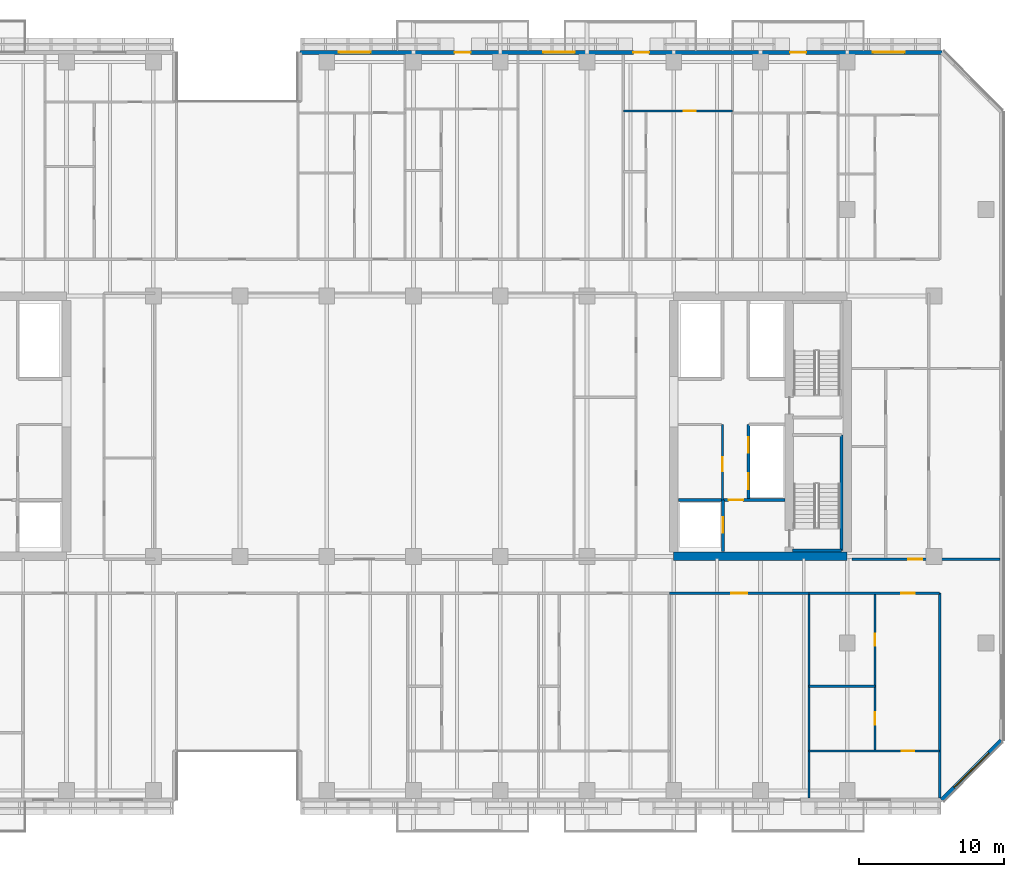
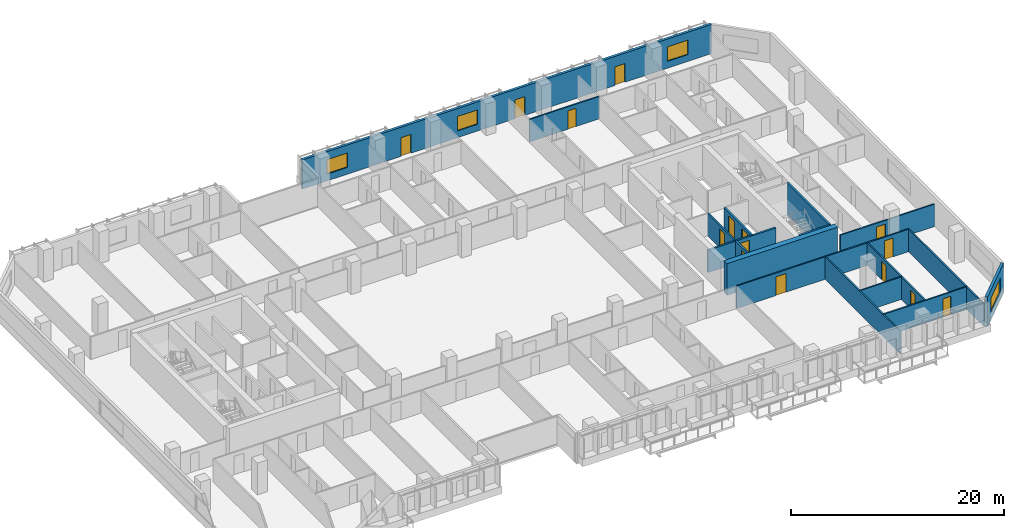
# One storey, part 14 of 25: 18 walls, 15 doors, 4 windows, 19 openings.
"""IFC4 building model written with IfcOpenShell, lengths in metres."""

from ifc_helpers import new_model, si_unit, direction, frame, frame_2d, origin, place, context, subcontext, project, spatial, rectangle, extrude, material, layer, layer_set, type_object, element, fill, save


model = new_model("IFC4")

# Units and contexts
model_context = context("Model", 3, precision=1e-05, world=origin(), true_north=direction((0.0, 1.0)))
body_context = subcontext(model_context, "Body", "Model", "MODEL_VIEW")
ifc_project = project(units=[si_unit("LENGTHUNIT", "METRE"), si_unit("AREAUNIT", "SQUARE_METRE"), si_unit("VOLUMEUNIT", "CUBIC_METRE"), si_unit("PLANEANGLEUNIT", "RADIAN"), si_unit("MASSUNIT", "GRAM", prefix="KILO")], contexts=[model_context])

# Site, building, storey
site_placement = place(None, origin())
site = spatial("IfcSite", under=ifc_project, at=site_placement, CompositionType="ELEMENT")
building_placement = place(site_placement, origin())
building = spatial("IfcBuilding", under=site, at=building_placement, Name="Tanjung Sevakor Pilgrim Tower", CompositionType="ELEMENT")
storey_placement = place(building_placement, frame((0.0, 0.0, 69.6298828125)))
storey = spatial("IfcBuildingStorey", under=building, at=storey_placement, Name="L19", CompositionType="ELEMENT", Elevation=69.6298828125)

# Wall
ifc_material_1 = material(Name="Concrete C60/75", Category="concrete")
ifc_layer_1 = layer(ifc_material_1, 0.60009765625)
ifc_layer_set_1 = layer_set([ifc_layer_1], Name="WALL-CW-600")
wall_type_1 = type_object("IfcWallType", Name="WALL-CW-600", PredefinedType="SHEAR", material=ifc_layer_set_1)
wall_1_placement = place(storey_placement, frame((78.0, 24.60009765625, 0.0), z_axis=(0.0, 0.0, 1.0), x_axis=(1.0, 0.0, 0.0)))
element("IfcWall", 1, at=wall_1_placement, inside=storey, type_object=wall_type_1, Name="L19 E Core South Shear Wall", PredefinedType="SHEAR", context=body_context, shape_type="SweptSolid", body=[
    extrude(rectangle(XDim=12.0, YDim=0.60009765625, at=frame_2d((6.0, 0.0))), origin(), (0.0, 0.0, 1.0), 3.630126953125),
])

# Wall, opening, door
ifc_material_2 = material(Name="Concrete C40/50", Category="concrete")
ifc_layer_2 = layer(ifc_material_2, 0.14990234375)
ifc_layer_set_2 = layer_set([ifc_layer_2], Name="WT-COMP-150")
wall_type_2 = type_object("IfcWallType", Name="WT-COMP-150", PredefinedType="SOLIDWALL", material=ifc_layer_set_2)
wall_2_placement = place(storey_placement, frame((81.3798828125, 28.5, 0.0), z_axis=(0.0, 0.0, 1.0), x_axis=(0.0, 1.0, 0.0)))
wall_2 = element("IfcWall", 2, at=wall_2_placement, inside=storey, type_object=wall_type_2, Name="L19 Partition IW-L19-016", PredefinedType="SOLIDWALL", context=body_context, shape_type="SweptSolid", body=[
    extrude(rectangle(XDim=5.219970703125, YDim=0.14990234375, at=frame_2d((2.60986328125, 0.0))), origin(), (0.0, 0.0, 1.0), 2.570068359375),
])
opening_1_placement = place(wall_2_placement, frame((2.0, 0.0, 0.0)))
opening_1 = element("IfcOpeningElement", 3, at=opening_1_placement, cuts=wall_2, Name="Opening ID-FD2", PredefinedType="OPENING", context=body_context, shape_type="SweptSolid", body=[
    extrude(rectangle(XDim=0.949951171875, YDim=2.14990234375, at=frame_2d((0.47509765625, 1.074951171875))), frame((0.0, 0.0849609375, 0.0), z_axis=(0.0, -1.0, 0.0), x_axis=(1.0, 0.0, 0.0)), (0.0, 0.0, 1.0), 0.169921875),
])
ifc_material_3 = material(Name="Fire-Rated Timber", Category="wood")
door_type_1 = type_object("IfcDoorType", Name="DT-FIRE-950", OperationType="NOTDEFINED", PredefinedType="DOOR", material=ifc_material_3)
door_1_placement = place(opening_1_placement, origin())
door_1 = element("IfcDoor", 4, at=door_1_placement, inside=storey, type_object=door_type_1, Name="L19 Accessible WC Door", OperationType="SINGLE_SWING_LEFT", OverallHeight=2.14990234375, OverallWidth=0.949951171875, PredefinedType="DOOR", context=body_context, shape_type="SweptSolid", body=[
    extrude(rectangle(XDim=0.949951171875, YDim=2.14990234375, at=frame_2d((0.47509765625, 1.074951171875))), frame((0.0, 0.02490234375, 0.0), z_axis=(0.0, -1.0, 0.0), x_axis=(1.0, 0.0, 0.0)), (0.0, 0.0, 1.0), 0.050048828125),
])
fill(opening_1, door_1)

wall_3_placement = place(storey_placement, frame((90.320068359375, 24.39990234375, 0.0), z_axis=(0.0, 0.0, 1.0), x_axis=(1.0, 0.0, 0.0)))
wall_3 = element("IfcWall", 5, at=wall_3_placement, inside=storey, type_object=wall_type_2, Name="L19 Partition IW-L19-041", PredefinedType="SOLIDWALL", context=body_context, shape_type="SweptSolid", body=[
    extrude(rectangle(XDim=10.239990234375, YDim=0.14990234375, at=frame_2d((5.1201171875, 0.0))), origin(), (0.0, 0.0, 1.0), 2.565185546875),
])
opening_2_placement = place(wall_3_placement, frame((3.91259765625, 0.0, 0.0)))
opening_2 = element("IfcOpeningElement", 6, at=opening_2_placement, cuts=wall_3, Name="Opening ID-FD2", PredefinedType="OPENING", context=body_context, shape_type="SweptSolid", body=[
    extrude(rectangle(XDim=0.949951171875, YDim=2.14990234375, at=frame_2d((0.47509765625, 1.074951171875))), frame((0.0, 0.0849609375, 0.0), z_axis=(0.0, -1.0, 0.0), x_axis=(1.0, 0.0, 0.0)), (0.0, 0.0, 1.0), 0.169921875),
])
door_2_placement = place(opening_2_placement, origin())
door_2 = element("IfcDoor", 7, at=door_2_placement, inside=storey, type_object=door_type_1, Name="Suite Entrance", OperationType="SINGLE_SWING_LEFT", OverallHeight=2.14990234375, OverallWidth=0.949951171875, PredefinedType="DOOR", context=body_context, shape_type="SweptSolid", body=[
    extrude(rectangle(XDim=0.949951171875, YDim=2.14990234375, at=frame_2d((0.47509765625, 1.074951171875))), frame((0.0, 0.02490234375, 0.0), z_axis=(0.0, -1.0, 0.0), x_axis=(1.0, 0.0, 0.0)), (0.0, 0.0, 1.0), 0.050048828125),
])
fill(opening_2, door_2)

# Walls
for number, where, z_axis, x_axis, name in (
    (8, (96.39990234375, 7.8798828125, 0.0), (0.0, 0.0, 1.0), (0.0, 1.0, 0.0), "L19 Partition IW-L19-059"),
    (9, (87.35693359375, 7.8798828125, 0.0), (0.0, 0.0, 1.0), (0.0, 1.0, 0.0), "L19 Partition IW-L19-072"),
):
    element("IfcWall", number, at=place(storey_placement, frame(where, z_axis=z_axis, x_axis=x_axis)), inside=storey, type_object=wall_type_2, Name=name, PredefinedType="SOLIDWALL", context=body_context, shape_type="SweptSolid", body=[
        extrude(rectangle(XDim=14.170166015625, YDim=0.14990234375, at=frame_2d((7.0849609375, 0.0))), origin(), (0.0, 0.0, 1.0), 2.570068359375),
    ])

# Wall, opening, door
wall_4_placement = place(storey_placement, frame((77.690185546875, 22.050048828125, 0.0), z_axis=(0.0, 0.0, 1.0), x_axis=(1.0, 0.0, 0.0)))
wall_4 = element("IfcWall", 10, at=wall_4_placement, inside=storey, type_object=wall_type_2, Name="L19 Partition IW-L19-073", PredefinedType="SOLIDWALL", context=body_context, shape_type="SweptSolid", body=[
    extrude(rectangle(XDim=9.666748046875, YDim=0.14990234375, at=frame_2d((4.83349609375, 0.0))), origin(), (0.0, 0.0, 1.0), 2.570068359375),
])
opening_3_placement = place(wall_4_placement, frame((4.283447265625, 0.0, 0.0)))
opening_3 = element("IfcOpeningElement", 11, at=opening_3_placement, cuts=wall_4, Name="Opening ID-FD0", PredefinedType="OPENING", context=body_context, shape_type="SweptSolid", body=[
    extrude(rectangle(XDim=1.10009765625, YDim=2.14990234375, at=frame_2d((0.550048828125, 1.074951171875))), frame((0.0, 0.0849609375, 0.0), z_axis=(0.0, -1.0, 0.0), x_axis=(1.0, 0.0, 0.0)), (0.0, 0.0, 1.0), 0.169921875),
])
ifc_material_4 = material(Name="Fire-Rated Steel S355J2", Category="steel")
door_type_2 = type_object("IfcDoorType", Name="DT-FIRE-1100", OperationType="NOTDEFINED", PredefinedType="DOOR", material=ifc_material_4)
door_3_placement = place(opening_3_placement, origin())
door_3 = element("IfcDoor", 12, at=door_3_placement, inside=storey, type_object=door_type_2, Name="Council Room Door", OperationType="SINGLE_SWING_RIGHT", OverallHeight=2.14990234375, OverallWidth=1.10009765625, PredefinedType="DOOR", context=body_context, shape_type="SweptSolid", body=[
    extrude(rectangle(XDim=1.10009765625, YDim=2.14990234375, at=frame_2d((0.550048828125, 1.074951171875))), frame((0.0, 0.02490234375, 0.0), z_axis=(0.0, -1.0, 0.0), x_axis=(1.0, 0.0, 0.0)), (0.0, 0.0, 1.0), 0.050048828125),
])
fill(opening_3, door_3)

wall_5_placement = place(storey_placement, frame((87.35693359375, 22.050048828125, 0.0), z_axis=(0.0, 0.0, 1.0), x_axis=(1.0, 0.0, 0.0)))
wall_5 = element("IfcWall", 13, at=wall_5_placement, inside=storey, type_object=wall_type_2, Name="L19 Partition IW-L19-077", PredefinedType="SOLIDWALL", context=body_context, shape_type="SweptSolid", body=[
    extrude(rectangle(XDim=9.04296875, YDim=0.14990234375, at=frame_2d((4.521484375, 0.0))), origin(), (0.0, 0.0, 1.0), 2.570068359375),
])
opening_4_placement = place(wall_5_placement, frame((6.3681640625, 0.0, 0.0)))
opening_4 = element("IfcOpeningElement", 14, at=opening_4_placement, cuts=wall_5, Name="Opening ID-FD2", PredefinedType="OPENING", context=body_context, shape_type="SweptSolid", body=[
    extrude(rectangle(XDim=0.949951171875, YDim=2.14990234375, at=frame_2d((0.47509765625, 1.074951171875))), frame((0.0, 0.0849609375, 0.0), z_axis=(0.0, -1.0, 0.0), x_axis=(1.0, 0.0, 0.0)), (0.0, 0.0, 1.0), 0.169921875),
])
door_4_placement = place(opening_4_placement, origin())
door_4 = element("IfcDoor", 15, at=door_4_placement, inside=storey, type_object=door_type_1, Name="Residence Entrance", OperationType="SINGLE_SWING_RIGHT", OverallHeight=2.14990234375, OverallWidth=0.949951171875, PredefinedType="DOOR", context=body_context, shape_type="SweptSolid", body=[
    extrude(rectangle(XDim=0.949951171875, YDim=2.14990234375, at=frame_2d((0.47509765625, 1.074951171875))), frame((0.0, 0.02490234375, 0.0), z_axis=(0.0, -1.0, 0.0), x_axis=(1.0, 0.0, 0.0)), (0.0, 0.0, 1.0), 0.050048828125),
])
fill(opening_4, door_4)

# Wall, opening, window
ifc_material_5 = material(Name="Precast concrete C45/55", Category="concrete")
ifc_layer_3 = layer(ifc_material_5, 0.280029296875)
ifc_layer_set_3 = layer_set([ifc_layer_3], Name="WT-EW-STN2")
wall_type_3 = type_object("IfcWallType", Name="WT-EW-STN2", PredefinedType="SOLIDWALL", material=ifc_layer_set_3)
wall_6_placement = place(storey_placement, frame((96.5419921875, 7.739990234375, 0.0), z_axis=(0.0, 0.0, 1.0), x_axis=(0.707106781187, 0.707106781187, 0.0)))
wall_6 = element("IfcWall", 16, at=wall_6_placement, inside=storey, type_object=wall_type_3, Name="L19 MAIN Sculpted Corner Wall 5", PredefinedType="SOLIDWALL", context=body_context, shape_type="SweptSolid", body=[
    extrude(rectangle(XDim=5.82373046875, YDim=0.280029296875, at=frame_2d((2.911865234375, 0.0))), origin(), (0.0, 0.0, 1.0), 3.35009765625),
])
opening_5_placement = place(wall_6_placement, frame((1.2119140625, 0.0, 0.780029296875)))
opening_5 = element("IfcOpeningElement", 17, at=opening_5_placement, cuts=wall_6, Name="Opening WN-CHM-1660", PredefinedType="OPENING", context=body_context, shape_type="SweptSolid", body=[
    extrude(rectangle(XDim=3.39990234375, YDim=1.659912109375, at=frame_2d((1.699951171875, 0.830078125))), frame((0.0, 0.14990234375, 0.0), z_axis=(0.0, -1.0, 0.0), x_axis=(1.0, 0.0, 0.0)), (0.0, 0.0, 1.0), 0.300048828125),
])
ifc_material_6 = material(Name="Thermally Broken Aluminium and Low-E Glass", Category="aluminium")
window_type_1 = type_object("IfcWindowType", Name="WTYP-WN-CHM-1660", PartitioningType="DOUBLE_PANEL_VERTICAL", PredefinedType="WINDOW", material=ifc_material_6)
window_1_placement = place(opening_5_placement, origin())
window_1 = element("IfcWindow", 18, at=window_1_placement, inside=storey, type_object=window_type_1, Name="L19 Facade Window 01", OverallHeight=1.659912109375, OverallWidth=3.39990234375, PartitioningType="SINGLE_PANEL", PredefinedType="WINDOW", context=body_context, shape_type="SweptSolid", body=[
    extrude(rectangle(XDim=3.39990234375, YDim=1.659912109375, at=frame_2d((1.699951171875, 0.830078125))), frame((0.0, 0.030029296875, 0.0), z_axis=(0.0, -1.0, 0.0), x_axis=(1.0, 0.0, 0.0)), (0.0, 0.0, 1.0), 0.06005859375),
])
fill(opening_5, window_1)

# Wall, openings, doors, windows
wall_7_placement = place(storey_placement, frame((96.5419921875, 59.4599609375, 0.0), z_axis=(0.0, 0.0, 1.0), x_axis=(-1.0, 0.0, 0.0)))
wall_7 = element("IfcWall", 19, at=wall_7_placement, inside=storey, type_object=wall_type_3, Name="L19 MAIN Exterior Wall 9", PredefinedType="SOLIDWALL", context=body_context, shape_type="SweptSolid", body=[
    extrude(rectangle(XDim=44.402099609375, YDim=0.280029296875, at=frame_2d((22.201171875, 0.0))), origin(), (0.0, 0.0, 1.0), 3.35009765625),
])
opening_6_placement = place(wall_7_placement, frame((32.592041015625, 0.0, 0.0)))
opening_6 = element("IfcOpeningElement", 20, at=opening_6_placement, cuts=wall_7, Name="Opening ED-BAL-1100", PredefinedType="OPENING", context=body_context, shape_type="SweptSolid", body=[
    extrude(rectangle(XDim=1.10009765625, YDim=2.14990234375, at=frame_2d((0.550048828125, 1.074951171875))), frame((0.0, 0.14990234375, 0.0), z_axis=(0.0, -1.0, 0.0), x_axis=(1.0, 0.0, 0.0)), (0.0, 0.0, 1.0), 0.300048828125),
])
opening_7_placement = place(wall_7_placement, frame((20.241943359375, 0.0, 0.0)))
opening_7 = element("IfcOpeningElement", 21, at=opening_7_placement, cuts=wall_7, Name="Opening ED-BAL-1100", PredefinedType="OPENING", context=body_context, shape_type="SweptSolid", body=[
    extrude(rectangle(XDim=1.10009765625, YDim=2.14990234375, at=frame_2d((0.550048828125, 1.074951171875))), frame((0.0, 0.14990234375, 0.0), z_axis=(0.0, -1.0, 0.0), x_axis=(1.0, 0.0, 0.0)), (0.0, 0.0, 1.0), 0.300048828125),
])
opening_8_placement = place(wall_7_placement, frame((9.39208984375, 0.0, 0.0)))
opening_8 = element("IfcOpeningElement", 22, at=opening_8_placement, cuts=wall_7, Name="Opening ED-BAL-1100", PredefinedType="OPENING", context=body_context, shape_type="SweptSolid", body=[
    extrude(rectangle(XDim=1.10009765625, YDim=2.14990234375, at=frame_2d((0.550048828125, 1.074951171875))), frame((0.0, 0.14990234375, 0.0), z_axis=(0.0, -1.0, 0.0), x_axis=(1.0, 0.0, 0.0)), (0.0, 0.0, 1.0), 0.300048828125),
])
opening_9_placement = place(wall_7_placement, frame((39.513916015625, 0.0, 0.780029296875)))
opening_9 = element("IfcOpeningElement", 23, at=opening_9_placement, cuts=wall_7, Name="Opening WN-Z1-1660", PredefinedType="OPENING", context=body_context, shape_type="SweptSolid", body=[
    extrude(rectangle(XDim=2.199951171875, YDim=1.659912109375, at=frame_2d((1.10009765625, 0.830078125))), frame((0.0, 0.14990234375, 0.0), z_axis=(0.0, -1.0, 0.0), x_axis=(1.0, 0.0, 0.0)), (0.0, 0.0, 1.0), 0.300048828125),
])
opening_10_placement = place(wall_7_placement, frame((25.378662109375, 0.0, 0.780029296875)))
opening_10 = element("IfcOpeningElement", 24, at=opening_10_placement, cuts=wall_7, Name="Opening WN-Z1-1660", PredefinedType="OPENING", context=body_context, shape_type="SweptSolid", body=[
    extrude(rectangle(XDim=2.199951171875, YDim=1.659912109375, at=frame_2d((1.10009765625, 0.830078125))), frame((0.0, 0.14990234375, 0.0), z_axis=(0.0, -1.0, 0.0), x_axis=(1.0, 0.0, 0.0)), (0.0, 0.0, 1.0), 0.300048828125),
])
opening_11_placement = place(wall_7_placement, frame((2.564453125, 0.0, 0.780029296875)))
opening_11 = element("IfcOpeningElement", 25, at=opening_11_placement, cuts=wall_7, Name="Opening WN-Z1-1660", PredefinedType="OPENING", context=body_context, shape_type="SweptSolid", body=[
    extrude(rectangle(XDim=2.199951171875, YDim=1.659912109375, at=frame_2d((1.10009765625, 0.830078125))), frame((0.0, 0.14990234375, 0.0), z_axis=(0.0, -1.0, 0.0), x_axis=(1.0, 0.0, 0.0)), (0.0, 0.0, 1.0), 0.300048828125),
])
ifc_material_7 = material(Name="Anodised Aluminium and Laminated Glass", Category="aluminium")
door_type_3 = type_object("IfcDoorType", Name="DTYP-ED-BAL-1100", OperationType="NOTDEFINED", PredefinedType="DOOR", material=ifc_material_7)
door_5_placement = place(opening_6_placement, frame((1.10009765625, 0.0, 0.0), z_axis=(0.0, 0.0, 1.0), x_axis=(-1.0, 0.0, 0.0)))
door_5 = element("IfcDoor", 26, at=door_5_placement, inside=storey, type_object=door_type_3, Name="L19 Balcony Door MAIN-N2", OperationType="SINGLE_SWING_RIGHT", OverallHeight=2.14990234375, OverallWidth=1.10009765625, PredefinedType="DOOR", context=body_context, shape_type="SweptSolid", body=[
    extrude(rectangle(XDim=1.10009765625, YDim=2.14990234375, at=frame_2d((0.550048828125, 1.074951171875))), frame((0.0, 0.02490234375, 0.0), z_axis=(0.0, -1.0, 0.0), x_axis=(1.0, 0.0, 0.0)), (0.0, 0.0, 1.0), 0.050048828125),
])
fill(opening_6, door_5)
door_6_placement = place(opening_7_placement, frame((1.10009765625, 0.0, 0.0), z_axis=(0.0, 0.0, 1.0), x_axis=(-1.0, 0.0, 0.0)))
door_6 = element("IfcDoor", 27, at=door_6_placement, inside=storey, type_object=door_type_3, Name="L19 Balcony Door MAIN-N3", OperationType="SINGLE_SWING_LEFT", OverallHeight=2.14990234375, OverallWidth=1.10009765625, PredefinedType="DOOR", context=body_context, shape_type="SweptSolid", body=[
    extrude(rectangle(XDim=1.10009765625, YDim=2.14990234375, at=frame_2d((0.550048828125, 1.074951171875))), frame((0.0, 0.02490234375, 0.0), z_axis=(0.0, -1.0, 0.0), x_axis=(1.0, 0.0, 0.0)), (0.0, 0.0, 1.0), 0.050048828125),
])
fill(opening_7, door_6)
door_7_placement = place(opening_8_placement, frame((1.10009765625, 0.0, 0.0), z_axis=(0.0, 0.0, 1.0), x_axis=(-1.0, 0.0, 0.0)))
door_7 = element("IfcDoor", 28, at=door_7_placement, inside=storey, type_object=door_type_3, Name="L19 Balcony Door MAIN-N4", OperationType="SINGLE_SWING_RIGHT", OverallHeight=2.14990234375, OverallWidth=1.10009765625, PredefinedType="DOOR", context=body_context, shape_type="SweptSolid", body=[
    extrude(rectangle(XDim=1.10009765625, YDim=2.14990234375, at=frame_2d((0.550048828125, 1.074951171875))), frame((0.0, 0.02490234375, 0.0), z_axis=(0.0, -1.0, 0.0), x_axis=(1.0, 0.0, 0.0)), (0.0, 0.0, 1.0), 0.050048828125),
])
fill(opening_8, door_7)
ifc_material_8 = material(Name="Thermally Broken Aluminium and Low-E Glass", Category="aluminium")
window_type_2 = type_object("IfcWindowType", Name="WTYP-WN-Z1-1660", PartitioningType="DOUBLE_PANEL_VERTICAL", PredefinedType="WINDOW", material=ifc_material_8)
window_2_placement = place(opening_9_placement, origin())
window_2 = element("IfcWindow", 29, at=window_2_placement, inside=storey, type_object=window_type_2, Name="L19 Facade Window 01", OverallHeight=1.659912109375, OverallWidth=2.199951171875, PartitioningType="SINGLE_PANEL", PredefinedType="WINDOW", context=body_context, shape_type="SweptSolid", body=[
    extrude(rectangle(XDim=2.199951171875, YDim=1.659912109375, at=frame_2d((1.10009765625, 0.830078125))), frame((0.0, 0.030029296875, 0.0), z_axis=(0.0, -1.0, 0.0), x_axis=(1.0, 0.0, 0.0)), (0.0, 0.0, 1.0), 0.06005859375),
])
fill(opening_9, window_2)
window_3_placement = place(opening_10_placement, origin())
window_3 = element("IfcWindow", 30, at=window_3_placement, inside=storey, type_object=window_type_2, Name="L19 Facade Window 02", OverallHeight=1.659912109375, OverallWidth=2.199951171875, PartitioningType="SINGLE_PANEL", PredefinedType="WINDOW", context=body_context, shape_type="SweptSolid", body=[
    extrude(rectangle(XDim=2.199951171875, YDim=1.659912109375, at=frame_2d((1.10009765625, 0.830078125))), frame((0.0, 0.030029296875, 0.0), z_axis=(0.0, -1.0, 0.0), x_axis=(1.0, 0.0, 0.0)), (0.0, 0.0, 1.0), 0.06005859375),
])
fill(opening_10, window_3)
window_4_placement = place(opening_11_placement, origin())
window_4 = element("IfcWindow", 31, at=window_4_placement, inside=storey, type_object=window_type_2, Name="L19 Facade Window 03", OverallHeight=1.659912109375, OverallWidth=2.199951171875, PartitioningType="SINGLE_PANEL", PredefinedType="WINDOW", context=body_context, shape_type="SweptSolid", body=[
    extrude(rectangle(XDim=2.199951171875, YDim=1.659912109375, at=frame_2d((1.10009765625, 0.830078125))), frame((0.0, 0.030029296875, 0.0), z_axis=(0.0, -1.0, 0.0), x_axis=(1.0, 0.0, 0.0)), (0.0, 0.0, 1.0), 0.06005859375),
])
fill(opening_11, window_4)

# Walls
ifc_material_9 = material(Name="Concrete C40/50", Category="concrete")
ifc_layer_4 = layer(ifc_material_9, 0.199951171875)
ifc_layer_set_4 = layer_set([ifc_layer_4], Name="WT-FIRE-200")
wall_type_4 = type_object("IfcWallType", Name="WT-FIRE-200", PredefinedType="SOLIDWALL", material=ifc_layer_set_4)
wall_8_placement = place(storey_placement, frame((86.199951171875, 25.0, 0.0), z_axis=(0.0, 0.0, 1.0), x_axis=(1.0, 0.0, 0.0)))
element("IfcWall", 32, at=wall_8_placement, inside=storey, type_object=wall_type_4, Name="L19 TS-E1 Shaft Wall 1", PredefinedType="SOLIDWALL", context=body_context, shape_type="SweptSolid", body=[
    extrude(rectangle(XDim=3.400146484375, YDim=0.199951171875, at=frame_2d((1.7001953125, 0.0))), origin(), (0.0, 0.0, 1.0), 3.630126953125),
])
wall_9_placement = place(storey_placement, frame((89.60009765625, 25.0, 0.0), z_axis=(0.0, 0.0, 1.0), x_axis=(0.0, 1.0, 0.0)))
element("IfcWall", 33, at=wall_9_placement, inside=storey, type_object=wall_type_4, Name="L19 TS-E1 Shaft Wall 2", PredefinedType="SOLIDWALL", context=body_context, shape_type="SweptSolid", body=[
    extrude(rectangle(XDim=8.0, YDim=0.199951171875, at=frame_2d((4.0, 0.0))), origin(), (0.0, 0.0, 1.0), 3.630126953125),
])

# Wall, opening, door
ifc_material_10 = material(Name="Concrete C40/50", Category="concrete")
ifc_layer_5 = layer(ifc_material_10, 0.199951171875)
ifc_layer_set_5 = layer_set([ifc_layer_5], Name="WT-FPRT-200")
wall_type_5 = type_object("IfcWallType", Name="WT-FPRT-200", PredefinedType="SOLIDWALL", material=ifc_layer_set_5)
wall_10_placement = place(storey_placement, frame((81.39990234375, 24.919921875, 0.0), z_axis=(0.0, 0.0, 1.0), x_axis=(0.0, 1.0, 0.0)))
wall_10 = element("IfcWall", 34, at=wall_10_placement, inside=storey, type_object=wall_type_5, Name="L19 Partition IW-L19-011", PredefinedType="SOLIDWALL", context=body_context, shape_type="SweptSolid", body=[
    extrude(rectangle(XDim=3.580078125, YDim=0.199951171875, at=frame_2d((1.7900390625, 0.0))), origin(), (0.0, 0.0, 1.0), 2.570068359375),
])
opening_12_placement = place(wall_10_placement, frame((1.300048828125, 0.0, 0.0)))
opening_12 = element("IfcOpeningElement", 35, at=opening_12_placement, cuts=wall_10, Name="Opening LD-1100", PredefinedType="OPENING", context=body_context, shape_type="SweptSolid", body=[
    extrude(rectangle(XDim=1.10009765625, YDim=2.199951171875, at=frame_2d((0.550048828125, 1.10009765625))), frame((0.0, 0.10986328125, 0.0), z_axis=(0.0, -1.0, 0.0), x_axis=(1.0, 0.0, 0.0)), (0.0, 0.0, 1.0), 0.219970703125),
])
ifc_material_11 = material(Name="Brushed Stainless Steel S355J2", Category="steel")
door_type_4 = type_object("IfcDoorType", Name="DT-LIFT-1100", OperationType="SLIDING_TO_LEFT", PredefinedType="DOOR", material=ifc_material_11)
door_8_placement = place(opening_12_placement, origin())
door_8 = element("IfcDoor", 36, at=door_8_placement, inside=storey, type_object=door_type_4, Name="LD-FL-E", OperationType="SLIDING_TO_LEFT", OverallHeight=2.199951171875, OverallWidth=1.10009765625, PredefinedType="DOOR", context=body_context, shape_type="SweptSolid", body=[
    extrude(rectangle(XDim=1.10009765625, YDim=2.199951171875, at=frame_2d((0.550048828125, 1.10009765625))), frame((0.0, 0.02490234375, 0.0), z_axis=(0.0, -1.0, 0.0), x_axis=(1.0, 0.0, 0.0)), (0.0, 0.0, 1.0), 0.050048828125),
])
fill(opening_12, door_8)

wall_11_placement = place(storey_placement, frame((78.320068359375, 28.5, 0.0), z_axis=(0.0, 0.0, 1.0), x_axis=(1.0, 0.0, 0.0)))
wall_11 = element("IfcWall", 37, at=wall_11_placement, inside=storey, type_object=wall_type_5, Name="L19 Partition IW-L19-012", PredefinedType="SOLIDWALL", context=body_context, shape_type="SweptSolid", body=[
    extrude(rectangle(XDim=7.35986328125, YDim=0.199951171875, at=frame_2d((3.679931640625, 0.0))), origin(), (0.0, 0.0, 1.0), 2.570068359375),
])
opening_13_placement = place(wall_11_placement, frame((3.47998046875, 0.0, 0.0)))
opening_13 = element("IfcOpeningElement", 38, at=opening_13_placement, cuts=wall_11, Name="Opening ID-FD1", PredefinedType="OPENING", context=body_context, shape_type="SweptSolid", body=[
    extrude(rectangle(XDim=1.0, YDim=2.14990234375, at=frame_2d((0.5, 1.074951171875))), frame((0.0, 0.10986328125, 0.0), z_axis=(0.0, -1.0, 0.0), x_axis=(1.0, 0.0, 0.0)), (0.0, 0.0, 1.0), 0.219970703125),
])
ifc_material_12 = material(Name="Fire-Rated Steel S355J2", Category="steel")
door_type_5 = type_object("IfcDoorType", Name="DT-FIRE-1000", OperationType="NOTDEFINED", PredefinedType="DOOR", material=ifc_material_12)
door_9_placement = place(opening_13_placement, origin())
door_9 = element("IfcDoor", 39, at=door_9_placement, inside=storey, type_object=door_type_5, Name="Fire Lobby Door E", OperationType="SINGLE_SWING_RIGHT", OverallHeight=2.14990234375, OverallWidth=1.0, PredefinedType="DOOR", context=body_context, shape_type="SweptSolid", body=[
    extrude(rectangle(XDim=1.0, YDim=2.14990234375, at=frame_2d((0.5, 1.074951171875))), frame((0.0, 0.02490234375, 0.0), z_axis=(0.0, -1.0, 0.0), x_axis=(1.0, 0.0, 0.0)), (0.0, 0.0, 1.0), 0.050048828125),
])
fill(opening_13, door_9)

# Wall, openings, doors
wall_12_placement = place(storey_placement, frame((83.179931640625, 28.5, 0.0), z_axis=(0.0, 0.0, 1.0), x_axis=(0.0, 1.0, 0.0)))
wall_12 = element("IfcWall", 40, at=wall_12_placement, inside=storey, type_object=wall_type_5, Name="L19 Partition IW-L19-014", PredefinedType="SOLIDWALL", context=body_context, shape_type="SweptSolid", body=[
    extrude(rectangle(XDim=5.219970703125, YDim=0.199951171875, at=frame_2d((2.60986328125, 0.0))), origin(), (0.0, 0.0, 1.0), 2.570068359375),
])
opening_14_placement = place(wall_12_placement, frame((0.75, 0.0, 0.0)))
opening_14 = element("IfcOpeningElement", 41, at=opening_14_placement, cuts=wall_12, Name="Opening LD-1100", PredefinedType="OPENING", context=body_context, shape_type="SweptSolid", body=[
    extrude(rectangle(XDim=1.10009765625, YDim=2.199951171875, at=frame_2d((0.550048828125, 1.10009765625))), frame((0.0, 0.10986328125, 0.0), z_axis=(0.0, -1.0, 0.0), x_axis=(1.0, 0.0, 0.0)), (0.0, 0.0, 1.0), 0.219970703125),
])
opening_15_placement = place(wall_12_placement, frame((3.25, 0.0, 0.0)))
opening_15 = element("IfcOpeningElement", 42, at=opening_15_placement, cuts=wall_12, Name="Opening LD-1100", PredefinedType="OPENING", context=body_context, shape_type="SweptSolid", body=[
    extrude(rectangle(XDim=1.10009765625, YDim=2.199951171875, at=frame_2d((0.550048828125, 1.10009765625))), frame((0.0, 0.10986328125, 0.0), z_axis=(0.0, -1.0, 0.0), x_axis=(1.0, 0.0, 0.0)), (0.0, 0.0, 1.0), 0.219970703125),
])
door_10_placement = place(opening_14_placement, origin())
door_10 = element("IfcDoor", 43, at=door_10_placement, inside=storey, type_object=door_type_4, Name="LD-PLL1-E", OperationType="SLIDING_TO_LEFT", OverallHeight=2.199951171875, OverallWidth=1.10009765625, PredefinedType="DOOR", context=body_context, shape_type="SweptSolid", body=[
    extrude(rectangle(XDim=1.10009765625, YDim=2.199951171875, at=frame_2d((0.550048828125, 1.10009765625))), frame((0.0, 0.02490234375, 0.0), z_axis=(0.0, -1.0, 0.0), x_axis=(1.0, 0.0, 0.0)), (0.0, 0.0, 1.0), 0.050048828125),
])
fill(opening_14, door_10)
door_11_placement = place(opening_15_placement, origin())
door_11 = element("IfcDoor", 44, at=door_11_placement, inside=storey, type_object=door_type_4, Name="LD-PLL2-E", OperationType="SLIDING_TO_RIGHT", OverallHeight=2.199951171875, OverallWidth=1.10009765625, PredefinedType="DOOR", context=body_context, shape_type="SweptSolid", body=[
    extrude(rectangle(XDim=1.10009765625, YDim=2.199951171875, at=frame_2d((0.550048828125, 1.10009765625))), frame((0.0, 0.02490234375, 0.0), z_axis=(0.0, -1.0, 0.0), x_axis=(1.0, 0.0, 0.0)), (0.0, 0.0, 1.0), 0.050048828125),
])
fill(opening_15, door_11)

# Wall
ifc_material_13 = material(Name="Gypsum Board Partition", Category="gypsum board")
ifc_layer_6 = layer(ifc_material_13, 0.14990234375)
ifc_layer_set_6 = layer_set([ifc_layer_6], Name="WT-PART-150")
wall_type_6 = type_object("IfcWallType", Name="WT-PART-150", PredefinedType="PARTITIONING", material=ifc_layer_set_6)
wall_13_placement = place(storey_placement, frame((87.35693359375, 15.614501953125, 0.0), z_axis=(0.0, 0.0, 1.0), x_axis=(1.0, 0.0, 0.0)))
element("IfcWall", 45, at=wall_13_placement, inside=storey, type_object=wall_type_6, Name="L19 Partition IW-L19-074", PredefinedType="PARTITIONING", context=body_context, shape_type="SweptSolid", body=[
    extrude(rectangle(XDim=4.56298828125, YDim=0.14990234375, at=frame_2d((2.281494140625, 0.0))), origin(), (0.0, 0.0, 1.0), 2.570068359375),
])

# Wall, openings, doors
wall_14_placement = place(storey_placement, frame((91.919921875, 11.14208984375, 0.0), z_axis=(0.0, 0.0, 1.0), x_axis=(0.0, 1.0, 0.0)))
wall_14 = element("IfcWall", 46, at=wall_14_placement, inside=storey, type_object=wall_type_6, Name="L19 Partition IW-L19-075", PredefinedType="PARTITIONING", context=body_context, shape_type="SweptSolid", body=[
    extrude(rectangle(XDim=10.907958984375, YDim=0.14990234375, at=frame_2d((5.4541015625, 0.0))), origin(), (0.0, 0.0, 1.0), 2.570068359375),
])
opening_16_placement = place(wall_14_placement, frame((1.81103515625, 0.0, 0.0)))
opening_16 = element("IfcOpeningElement", 47, at=opening_16_placement, cuts=wall_14, Name="Opening ID-WC1", PredefinedType="OPENING", context=body_context, shape_type="SweptSolid", body=[
    extrude(rectangle(XDim=0.85009765625, YDim=2.10009765625, at=frame_2d((0.425048828125, 1.050048828125))), frame((0.0, 0.0849609375, 0.0), z_axis=(0.0, -1.0, 0.0), x_axis=(1.0, 0.0, 0.0)), (0.0, 0.0, 1.0), 0.169921875),
])
opening_17_placement = place(wall_14_placement, frame((7.264892578125, 0.0, 0.0)))
opening_17 = element("IfcOpeningElement", 48, at=opening_17_placement, cuts=wall_14, Name="Opening ID-WC1", PredefinedType="OPENING", context=body_context, shape_type="SweptSolid", body=[
    extrude(rectangle(XDim=0.85009765625, YDim=2.10009765625, at=frame_2d((0.425048828125, 1.050048828125))), frame((0.0, 0.0849609375, 0.0), z_axis=(0.0, -1.0, 0.0), x_axis=(1.0, 0.0, 0.0)), (0.0, 0.0, 1.0), 0.169921875),
])
ifc_material_14 = material(Name="Moisture-Resistant Timber", Category="wood")
door_type_6 = type_object("IfcDoorType", Name="DT-INT-850", OperationType="NOTDEFINED", PredefinedType="DOOR", material=ifc_material_14)
door_12_placement = place(opening_16_placement, origin())
door_12 = element("IfcDoor", 49, at=door_12_placement, inside=storey, type_object=door_type_6, Name="Residence Bathroom Door", OperationType="SINGLE_SWING_LEFT", OverallHeight=2.10009765625, OverallWidth=0.85009765625, PredefinedType="DOOR", context=body_context, shape_type="SweptSolid", body=[
    extrude(rectangle(XDim=0.85009765625, YDim=2.10009765625, at=frame_2d((0.425048828125, 1.050048828125))), frame((0.0, 0.02490234375, 0.0), z_axis=(0.0, -1.0, 0.0), x_axis=(1.0, 0.0, 0.0)), (0.0, 0.0, 1.0), 0.050048828125),
])
fill(opening_16, door_12)
door_13_placement = place(opening_17_placement, origin())
door_13 = element("IfcDoor", 50, at=door_13_placement, inside=storey, type_object=door_type_6, Name="Residence Kitchenette Door", OperationType="SINGLE_SWING_RIGHT", OverallHeight=2.10009765625, OverallWidth=0.85009765625, PredefinedType="DOOR", context=body_context, shape_type="SweptSolid", body=[
    extrude(rectangle(XDim=0.85009765625, YDim=2.10009765625, at=frame_2d((0.425048828125, 1.050048828125))), frame((0.0, 0.02490234375, 0.0), z_axis=(0.0, -1.0, 0.0), x_axis=(1.0, 0.0, 0.0)), (0.0, 0.0, 1.0), 0.050048828125),
])
fill(opening_17, door_13)

# Wall, opening, door
wall_15_placement = place(storey_placement, frame((87.35693359375, 11.14208984375, 0.0), z_axis=(0.0, 0.0, 1.0), x_axis=(1.0, 0.0, 0.0)))
wall_15 = element("IfcWall", 51, at=wall_15_placement, inside=storey, type_object=wall_type_6, Name="L19 Partition IW-L19-076", PredefinedType="PARTITIONING", context=body_context, shape_type="SweptSolid", body=[
    extrude(rectangle(XDim=9.04296875, YDim=0.14990234375, at=frame_2d((4.521484375, 0.0))), origin(), (0.0, 0.0, 1.0), 2.570068359375),
])
opening_18_placement = place(wall_15_placement, frame((6.418212890625, 0.0, 0.0)))
opening_18 = element("IfcOpeningElement", 52, at=opening_18_placement, cuts=wall_15, Name="Opening ID-WC1", PredefinedType="OPENING", context=body_context, shape_type="SweptSolid", body=[
    extrude(rectangle(XDim=0.85009765625, YDim=2.10009765625, at=frame_2d((0.425048828125, 1.050048828125))), frame((0.0, 0.0849609375, 0.0), z_axis=(0.0, -1.0, 0.0), x_axis=(1.0, 0.0, 0.0)), (0.0, 0.0, 1.0), 0.169921875),
])
door_14_placement = place(opening_18_placement, origin())
door_14 = element("IfcDoor", 53, at=door_14_placement, inside=storey, type_object=door_type_6, Name="Residence Bedroom Door", OperationType="SINGLE_SWING_LEFT", OverallHeight=2.10009765625, OverallWidth=0.85009765625, PredefinedType="DOOR", context=body_context, shape_type="SweptSolid", body=[
    extrude(rectangle(XDim=0.85009765625, YDim=2.10009765625, at=frame_2d((0.425048828125, 1.050048828125))), frame((0.0, 0.02490234375, 0.0), z_axis=(0.0, -1.0, 0.0), x_axis=(1.0, 0.0, 0.0)), (0.0, 0.0, 1.0), 0.050048828125),
])
fill(opening_18, door_14)

wall_16_placement = place(storey_placement, frame((74.511474609375, 55.41162109375, 0.0), z_axis=(0.0, 0.0, 1.0), x_axis=(1.0, 0.0, 0.0)))
wall_16 = element("IfcWall", 54, at=wall_16_placement, inside=storey, type_object=wall_type_6, Name="L19 Partition IW-L19-103", PredefinedType="PARTITIONING", context=body_context, shape_type="SweptSolid", body=[
    extrude(rectangle(XDim=7.547607421875, YDim=0.14990234375, at=frame_2d((3.77392578125, 0.0))), origin(), (0.0, 0.0, 1.0), 2.570068359375),
])
opening_19_placement = place(wall_16_placement, frame((4.173095703125, 0.0, 0.0)))
opening_19 = element("IfcOpeningElement", 55, at=opening_19_placement, cuts=wall_16, Name="Opening ID-WC1", PredefinedType="OPENING", context=body_context, shape_type="SweptSolid", body=[
    extrude(rectangle(XDim=0.85009765625, YDim=2.10009765625, at=frame_2d((0.425048828125, 1.050048828125))), frame((0.0, 0.0849609375, 0.0), z_axis=(0.0, -1.0, 0.0), x_axis=(1.0, 0.0, 0.0)), (0.0, 0.0, 1.0), 0.169921875),
])
door_15_placement = place(opening_19_placement, origin())
door_15 = element("IfcDoor", 56, at=door_15_placement, inside=storey, type_object=door_type_6, Name="Residence Bedroom Door", OperationType="SINGLE_SWING_RIGHT", OverallHeight=2.10009765625, OverallWidth=0.85009765625, PredefinedType="DOOR", context=body_context, shape_type="SweptSolid", body=[
    extrude(rectangle(XDim=0.85009765625, YDim=2.10009765625, at=frame_2d((0.425048828125, 1.050048828125))), frame((0.0, 0.02490234375, 0.0), z_axis=(0.0, -1.0, 0.0), x_axis=(1.0, 0.0, 0.0)), (0.0, 0.0, 1.0), 0.050048828125),
])
fill(opening_19, door_15)

save(model, "model.ifc")
